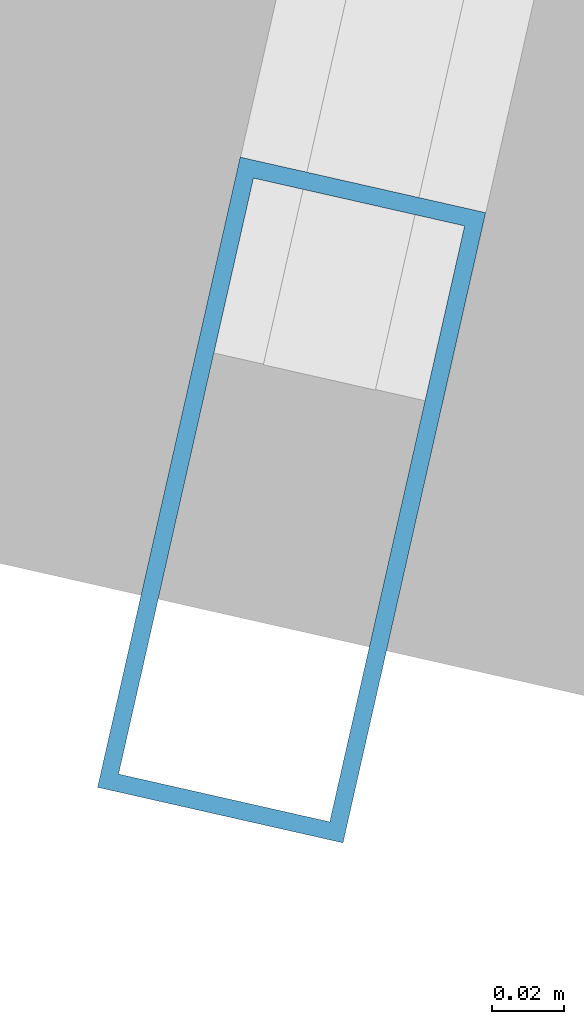
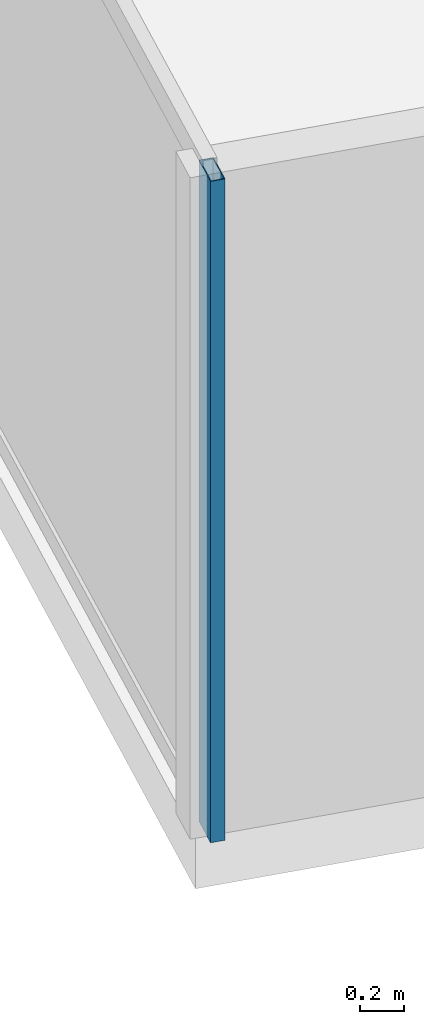
# One storey, part 3 of 26: 1 member, 1 element without a shape of its own.
"""IFC4 building model written with IfcOpenShell, lengths in metres."""

from ifc_helpers import new_model, si_unit, direction, frame, origin, origin_2d, place, context, subcontext, project, spatial, hollow_rectangle, extrude, source, transform, mapped, material, material_profile, profile_set, type_object, type_shapes, element, aggregate, save


model = new_model("IFC4")

# Units and contexts
model_context = context("Model", 3, precision=1e-05, world=origin(), true_north=direction((0.0, 1.0)))
body_context = subcontext(model_context, "Body", "Model", "MODEL_VIEW")
ifc_project = project(units=[si_unit("LENGTHUNIT", "METRE"), si_unit("AREAUNIT", "SQUARE_METRE"), si_unit("VOLUMEUNIT", "CUBIC_METRE"), si_unit("PLANEANGLEUNIT", "RADIAN"), si_unit("MASSUNIT", "GRAM", prefix="KILO")], contexts=[model_context])

# Site, building, storey
site_placement = place(None, origin())
site = spatial("IfcSite", under=ifc_project, at=site_placement, CompositionType="ELEMENT")
building_placement = place(site_placement, origin())
building = spatial("IfcBuilding", under=site, at=building_placement, Name="Krantzveldt Concourse Tower", CompositionType="ELEMENT")
storey_placement = place(building_placement, frame((0.0, 0.0, 94.0)))
storey = spatial("IfcBuildingStorey", under=building, at=storey_placement, Name="L22", CompositionType="ELEMENT", Elevation=94.0)

# Curtain wall, member
ifc_material = material(Name="Anodised aluminium 6063-T6", Category="aluminium")
curtain_wall_type = type_object("IfcCurtainWallType", Name="CW2", PredefinedType="USERDEFINED", material=ifc_material)
curtain_wall_placement = place(storey_placement, origin())
curtain_wall = element("IfcCurtainWall", 1, at=curtain_wall_placement, inside=storey, type_object=curtain_wall_type, Name="CW-L22-F01", ObjectType="UNITISED CURTAIN WALL", PredefinedType="USERDEFINED")
ifc_material_profile = material_profile(ifc_material, hollow_rectangle(XDim=0.070068359375, YDim=0.179931640625, WallThickness=0.0048828125, at=origin_2d()), Name="Anodised aluminium 6063-T6", Category="aluminium")
ifc_profile_set = profile_set([ifc_material_profile], Name="Anodised aluminium 6063-T6 - ALU-MULL 180x70x5")
member_type = type_object("IfcMemberType", Name="CW-MUL-180", PredefinedType="MULLION", material=ifc_profile_set)
shared_shape = source(origin(), body_context, "Body", "SweptSolid", [
    extrude(hollow_rectangle(XDim=0.070068359375, YDim=0.179931640625, WallThickness=0.0048828125, at=origin_2d()), origin(), (0.0, 0.0, 1.0), 3.669921875),
])
type_shapes(member_type, [shared_shape])
member_placement = place(storey_placement, frame((8.990966796875, 12.95703125, 0.0), z_axis=(0.0, 0.0, 1.0), x_axis=(0.975342320609, -0.220697434579, 0.0)))
member = element("IfcMember", 2, at=member_placement, type_object=member_type, Name="CW-Z12 mullion 7", PredefinedType="MULLION", context=body_context, shape_type="MappedRepresentation", body=[
    mapped(shared_shape, transform((0.0, 0.0, 0.0), x_axis=(1.0, 0.0, 0.0), y_axis=(0.0, 1.0, 0.0), z_axis=(0.0, 0.0, 1.0), scale=1.0)),
])
aggregate(curtain_wall, [member])

save(model, "model.ifc")
